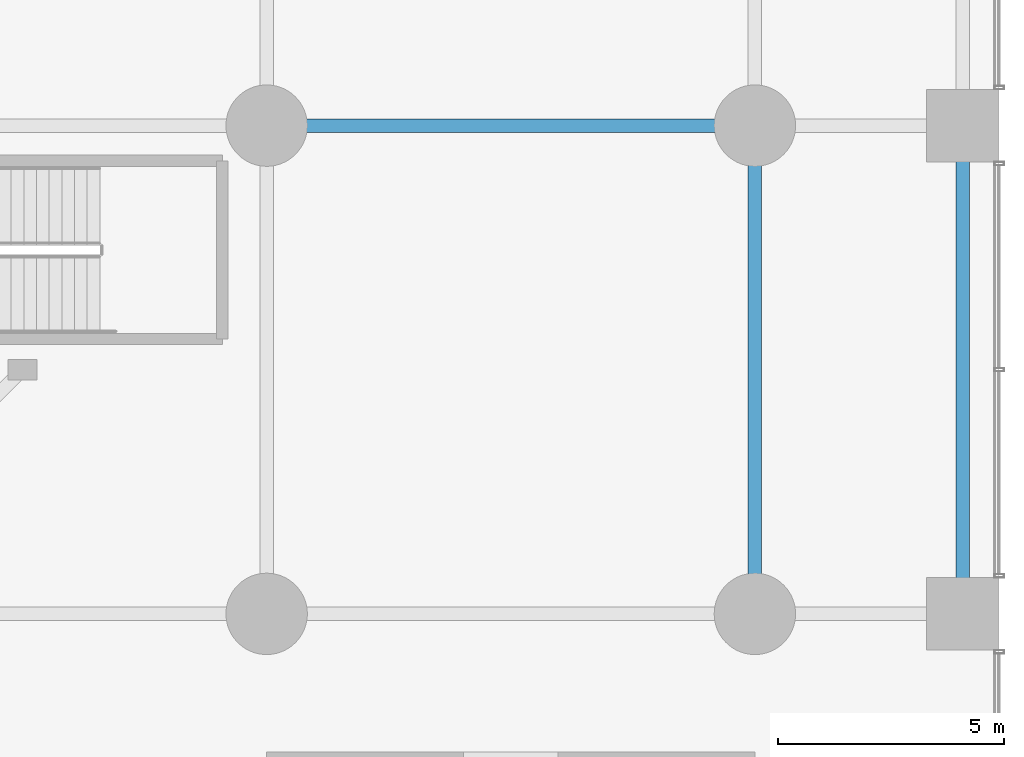
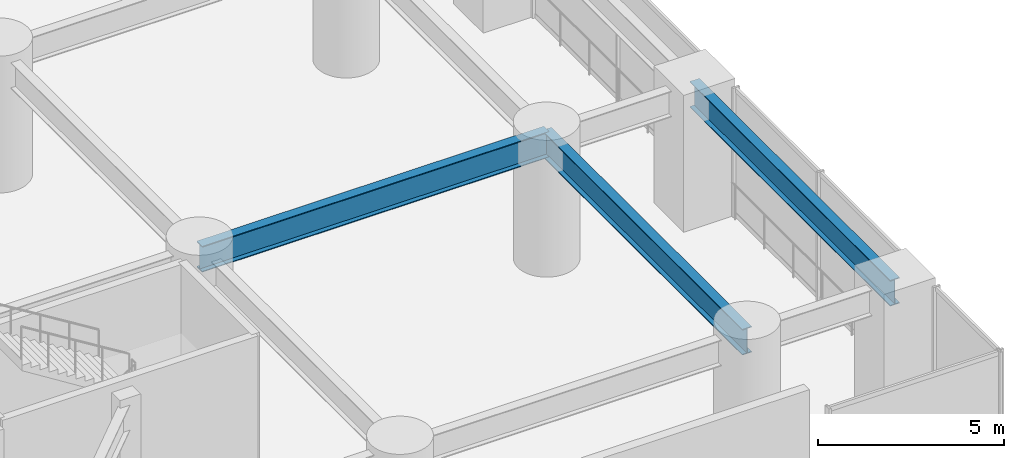
# One storey, part 19 of 36: 3 beams.
"""IFC4 building model written with IfcOpenShell, lengths in metres."""

from ifc_helpers import new_model, si_unit, direction, frame, origin, origin_2d, place, context, subcontext, project, spatial, i_section, extrude, material, material_profile, profile_set, type_object, element, save


model = new_model("IFC4")

# Units and contexts
model_context = context("Model", 3, precision=1e-05, world=origin(), true_north=direction((0.0, 1.0)))
body_context = subcontext(model_context, "Body", "Model", "MODEL_VIEW")
ifc_project = project(units=[si_unit("LENGTHUNIT", "METRE"), si_unit("AREAUNIT", "SQUARE_METRE"), si_unit("VOLUMEUNIT", "CUBIC_METRE"), si_unit("PLANEANGLEUNIT", "RADIAN"), si_unit("MASSUNIT", "GRAM", prefix="KILO")], contexts=[model_context])

# Site, building, storey
site_placement = place(None, origin())
site = spatial("IfcSite", under=ifc_project, at=site_placement, CompositionType="ELEMENT")
building_placement = place(site_placement, origin())
building = spatial("IfcBuilding", under=site, at=building_placement, Name="Surkhivell Harbour Commons", CompositionType="ELEMENT")
storey_placement = place(building_placement, frame((0.0, 0.0, 9.0)))
storey = spatial("IfcBuildingStorey", under=building, at=storey_placement, Name="L02", CompositionType="ELEMENT", Elevation=9.0)

# Beams
ifc_material = material(Name="Steel S460", Category="steel")
ifc_material_profile = material_profile(ifc_material, i_section(OverallWidth=0.2939453125, OverallDepth=0.85107421875, WebThickness=0.01611328125, FlangeThickness=0.02685546875, at=origin_2d()), Name="UB838x292x226")
ifc_profile_set = profile_set([ifc_material_profile], Name="Steel S460")
beam_type = type_object("IfcBeamType", Name="BM-SPN-838", PredefinedType="SPANDREL", material=ifc_profile_set)
beam_placement = place(storey_placement, frame((21.60009765625, -10.800048828125, 3.824462890625), z_axis=(1.0, 0.0, 0.0), x_axis=(0.0, 1.0, 0.0)))
element("IfcBeam", 1, at=beam_placement, inside=storey, type_object=beam_type, Name="L02 Framing Beam (21.6,-10.8)", PredefinedType="SPANDREL", context=body_context, shape_type="SweptSolid", body=[
    extrude(i_section(OverallWidth=0.2939453125, OverallDepth=0.85107421875, WebThickness=0.01611328125, FlangeThickness=0.02685546875, at=origin_2d()), origin(), (0.0, 0.0, 1.0), 10.7998046875),
])
for number, where, z_axis, x_axis, name in (
    (2, (32.39990234375, -21.60009765625, 3.824462890625), (0.0, 1.0, 0.0), (-1.0, 0.0, 0.0), "L02 Framing Beam (32.4,-21.6)"),
    (3, (37.0, -21.60009765625, 3.824462890625), (0.0, 1.0, 0.0), (-1.0, 0.0, 0.0), "L02 Framing Beam (37.0,-21.6)"),
):
    element("IfcBeam", number, at=place(storey_placement, frame(where, z_axis=z_axis, x_axis=x_axis)), inside=storey, type_object=beam_type, Name=name, PredefinedType="SPANDREL", context=body_context, shape_type="SweptSolid", body=[
        extrude(i_section(OverallWidth=0.2939453125, OverallDepth=0.85107421875, WebThickness=0.01611328125, FlangeThickness=0.02685546875, at=origin_2d()), origin(), (0.0, 0.0, 1.0), 10.800048828125),
    ])

save(model, "model.ifc")
